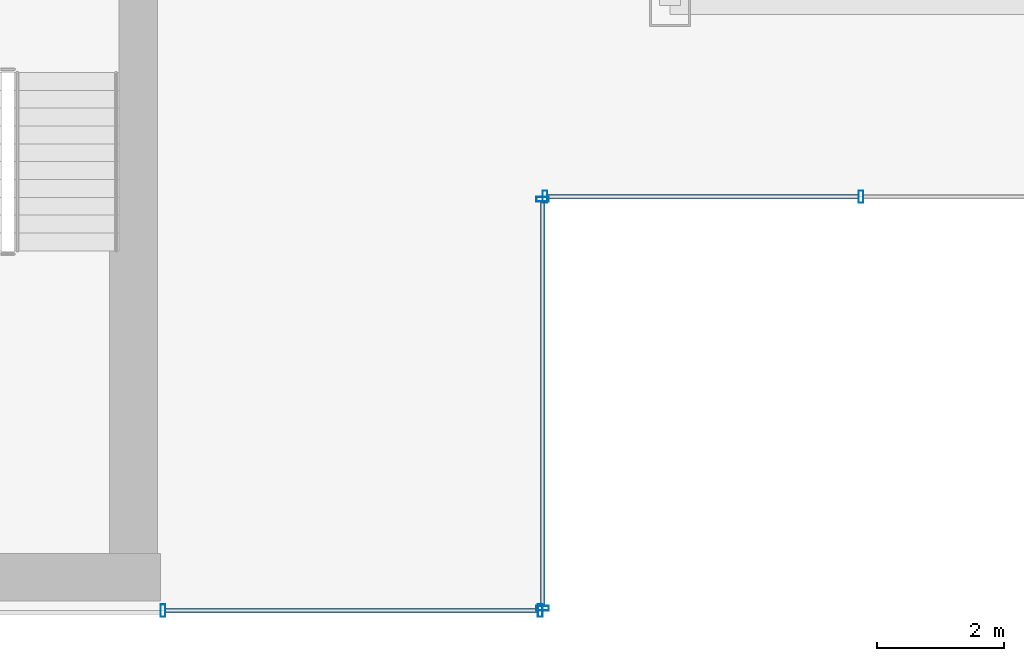
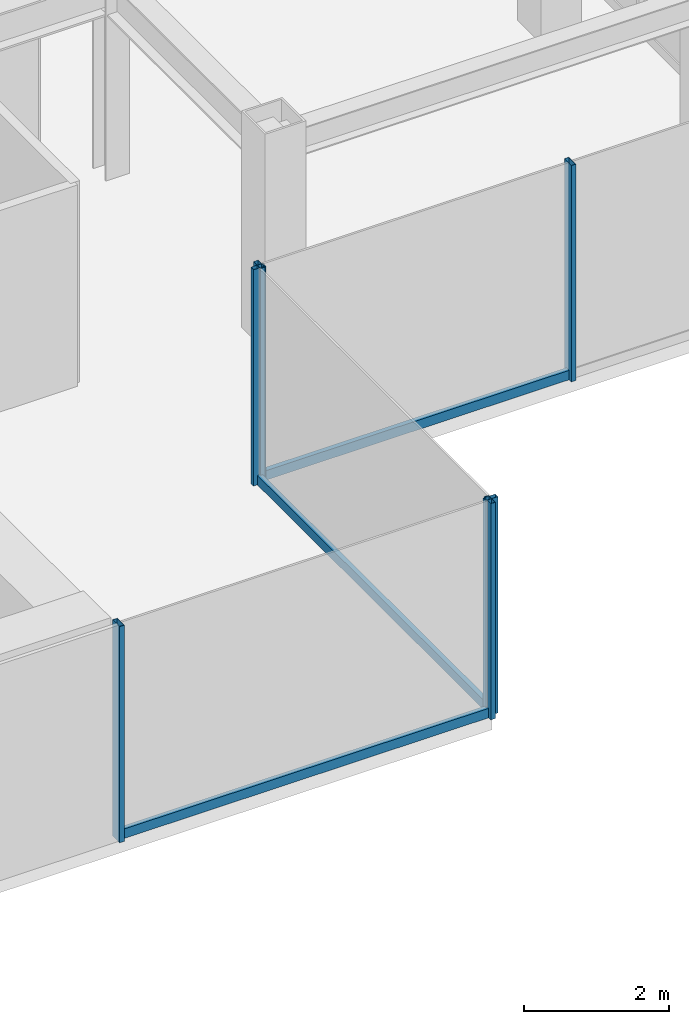
# One storey, part 9 of 25: 9 members, 3 elements without a shape of their own.
"""IFC4 building model written with IfcOpenShell, lengths in metres."""

from ifc_helpers import new_model, si_unit, derived_unit, direction, frame, origin, origin_2d, place, context, subcontext, project, spatial, hollow_rectangle, extrude, source, transform, mapped, material, material_profile, profile_set, type_object, element, aggregate, save


model = new_model("IFC4")

# Units and contexts
model_context = context("Model", 3, precision=1e-05, world=origin(), true_north=direction((0.0, 1.0)))
body_context = subcontext(model_context, "Body", "Model", "MODEL_VIEW")
ifc_project = project(units=[si_unit("LENGTHUNIT", "METRE"), si_unit("AREAUNIT", "SQUARE_METRE"), si_unit("VOLUMEUNIT", "CUBIC_METRE"), si_unit("PLANEANGLEUNIT", "RADIAN"), si_unit("MASSUNIT", "GRAM", prefix="KILO"), derived_unit("THERMALTRANSMITTANCEUNIT", [(si_unit("POWERUNIT", "WATT"), 1), (si_unit("LENGTHUNIT", "METRE"), -2), (si_unit("THERMODYNAMICTEMPERATUREUNIT", "KELVIN"), -1)])], contexts=[model_context])

# Site, building, storey
site_placement = place(None, origin())
site = spatial("IfcSite", under=ifc_project, at=site_placement, CompositionType="ELEMENT")
building_placement = place(site_placement, origin())
building = spatial("IfcBuilding", under=site, at=building_placement, Name="Skarnbrae Concourse Arena and Tower", CompositionType="ELEMENT")
storey_placement = place(building_placement, frame((0.0, 0.0, 177.10009765625)))
storey = spatial("IfcBuildingStorey", under=building, at=storey_placement, Name="L45", CompositionType="ELEMENT", Elevation=177.10009765625)

# Curtain wall, member
ifc_material = material(Name="Bronze anodised aluminium 6063-T6", Category="aluminium")
curtain_wall_type = type_object("IfcCurtainWallType", Name="CW-SYS-04-MIDZONE", PredefinedType="USERDEFINED", material=ifc_material)
curtain_wall_1_placement = place(storey_placement, origin())
curtain_wall_1 = element("IfcCurtainWall", 1, at=curtain_wall_1_placement, inside=storey, type_object=curtain_wall_type, Name="L45 Unitised curtain wall CW-L45-E03", ObjectType="UNITISED CURTAIN WALL", PredefinedType="USERDEFINED")
ifc_material_profile_1 = material_profile(ifc_material, hollow_rectangle(XDim=0.074951171875, YDim=0.159912109375, WallThickness=0.00439453125, at=origin_2d()), Name="ALU-TRAN-75X160")
ifc_profile_set_1 = profile_set([ifc_material_profile_1], Name="Bronze anodised aluminium 6063-T6")
member_type_1 = type_object("IfcMemberType", Name="CWT-CW-04", PredefinedType="USERDEFINED", material=ifc_profile_set_1)
shared_shape_1 = source(origin(), body_context, "Body", "SweptSolid", [
    extrude(hollow_rectangle(XDim=0.074951171875, YDim=0.159912109375, WallThickness=0.00439453125, at=origin_2d()), origin(), (0.0, 0.0, 1.0), 4.887451171875),
])
member_1_placement = place(storey_placement, frame((40.074951171875, 6.5, 0.079833984375), z_axis=(1.0, 0.0, 0.0), x_axis=(0.0, 1.0, 0.0)))
member_1 = element("IfcMember", 2, at=member_1_placement, type_object=member_type_1, Name="CW-L45-E03 Transom 1", ObjectType="TRANSOM", PredefinedType="USERDEFINED", context=body_context, shape_type="MappedRepresentation", body=[
    mapped(shared_shape_1, transform((0.0, 0.0, 0.0))),
])

# Curtain wall, members
curtain_wall_2_placement = place(storey_placement, origin())
curtain_wall_2 = element("IfcCurtainWall", 3, at=curtain_wall_2_placement, inside=storey, type_object=curtain_wall_type, Name="L45 Unitised curtain wall CW-L45-SE-SPINE", ObjectType="UNITISED CURTAIN WALL", PredefinedType="USERDEFINED")
ifc_material_profile_2 = material_profile(ifc_material, hollow_rectangle(XDim=0.074951171875, YDim=0.195068359375, WallThickness=0.00439453125, at=origin_2d()), Name="ALU-MULL-75X195")
ifc_profile_set_2 = profile_set([ifc_material_profile_2], Name="Bronze anodised aluminium 6063-T6")
member_type_2 = type_object("IfcMemberType", Name="CWM-CW-04", PredefinedType="MULLION", material=ifc_profile_set_2)
shared_shape_2 = source(origin(), body_context, "Body", "SweptSolid", [
    extrude(hollow_rectangle(XDim=0.074951171875, YDim=0.195068359375, WallThickness=0.00439453125, at=origin_2d()), origin(), (0.0, 0.0, 1.0), 3.64990234375),
])
member_2_placement = place(storey_placement, frame((34.03759765625, 0.0, 0.0), z_axis=(0.0, 0.0, 1.0), x_axis=(1.0, 0.0, 0.0)))
member_2 = element("IfcMember", 4, at=member_2_placement, type_object=member_type_2, Name="CW-L45-SE-SPINE Mullion 1", PredefinedType="MULLION", context=body_context, shape_type="MappedRepresentation", body=[
    mapped(shared_shape_2, transform((0.0, 0.0, 0.0))),
])
member_3_placement = place(storey_placement, frame((39.96240234375, 0.0, 0.0), z_axis=(0.0, 0.0, 1.0), x_axis=(1.0, 0.0, 0.0)))
member_3 = element("IfcMember", 5, at=member_3_placement, type_object=member_type_2, Name="CW-L45-SE-SPINE Mullion 2", PredefinedType="MULLION", context=body_context, shape_type="MappedRepresentation", body=[
    mapped(shared_shape_2, transform((0.0, 0.0, 0.0))),
])

curtain_wall_3_placement = place(storey_placement, origin())
curtain_wall_3 = element("IfcCurtainWall", 6, at=curtain_wall_3_placement, inside=storey, type_object=curtain_wall_type, Name="L45 Unitised curtain wall CW-L45-E02", ObjectType="UNITISED CURTAIN WALL", PredefinedType="USERDEFINED")
member_4_placement = place(storey_placement, frame((40.0, 0.03759765625, 0.0), z_axis=(0.0, 0.0, 1.0), x_axis=(0.0, 1.0, 0.0)))
member_4 = element("IfcMember", 7, at=member_4_placement, type_object=member_type_2, Name="CW-L45-E02 Mullion 1", PredefinedType="MULLION", context=body_context, shape_type="MappedRepresentation", body=[
    mapped(shared_shape_2, transform((0.0, 0.0, 0.0))),
])
member_5_placement = place(storey_placement, frame((40.0, 6.46240234375, 0.0), z_axis=(0.0, 0.0, 1.0), x_axis=(0.0, 1.0, 0.0)))
member_5 = element("IfcMember", 8, at=member_5_placement, type_object=member_type_2, Name="CW-L45-E02 Mullion 2", PredefinedType="MULLION", context=body_context, shape_type="MappedRepresentation", body=[
    mapped(shared_shape_2, transform((0.0, 0.0, 0.0))),
])

# Member
member_6_placement = place(storey_placement, frame((40.03759765625, 6.5, 0.0), z_axis=(0.0, 0.0, 1.0), x_axis=(1.0, 0.0, 0.0)))
member_6 = element("IfcMember", 9, at=member_6_placement, type_object=member_type_2, Name="CW-L45-E03 Mullion 1", PredefinedType="MULLION", context=body_context, shape_type="MappedRepresentation", body=[
    mapped(shared_shape_2, transform((0.0, 0.0, 0.0))),
])

member_7_placement = place(storey_placement, frame((45.0, 6.5, 0.0), z_axis=(0.0, 0.0, 1.0), x_axis=(1.0, 0.0, 0.0)))
member_7 = element("IfcMember", 10, at=member_7_placement, type_object=member_type_2, Name="CW-L45-E03 Mullion 2", PredefinedType="MULLION", context=body_context, shape_type="MappedRepresentation", body=[
    mapped(shared_shape_2, transform((0.0, 0.0, 0.0))),
])

aggregate(curtain_wall_1, [member_6, member_7, member_1])

shared_shape_3 = source(origin(), body_context, "Body", "SweptSolid", [
    extrude(hollow_rectangle(XDim=0.074951171875, YDim=0.159912109375, WallThickness=0.00439453125, at=origin_2d()), origin(), (0.0, 0.0, 1.0), 5.85009765625),
])
member_8_placement = place(storey_placement, frame((34.074951171875, 0.0, 0.079833984375), z_axis=(1.0, 0.0, 0.0), x_axis=(0.0, 1.0, 0.0)))
member_8 = element("IfcMember", 11, at=member_8_placement, type_object=member_type_1, Name="CW-L45-SE-SPINE Transom 1", ObjectType="TRANSOM", PredefinedType="USERDEFINED", context=body_context, shape_type="MappedRepresentation", body=[
    mapped(shared_shape_3, transform((0.0, 0.0, 0.0))),
])

aggregate(curtain_wall_2, [member_2, member_3, member_8])

shared_shape_4 = source(origin(), body_context, "Body", "SweptSolid", [
    extrude(hollow_rectangle(XDim=0.074951171875, YDim=0.159912109375, WallThickness=0.00439453125, at=origin_2d()), origin(), (0.0, 0.0, 1.0), 6.35009765625),
])
member_9_placement = place(storey_placement, frame((40.0, 0.074951171875, 0.079833984375), z_axis=(0.0, 1.0, 0.0), x_axis=(-1.0, 0.0, 0.0)))
member_9 = element("IfcMember", 12, at=member_9_placement, type_object=member_type_1, Name="CW-L45-E02 Transom 1", ObjectType="TRANSOM", PredefinedType="USERDEFINED", context=body_context, shape_type="MappedRepresentation", body=[
    mapped(shared_shape_4, transform((0.0, 0.0, 0.0))),
])

aggregate(curtain_wall_3, [member_4, member_5, member_9])

save(model, "model.ifc")
